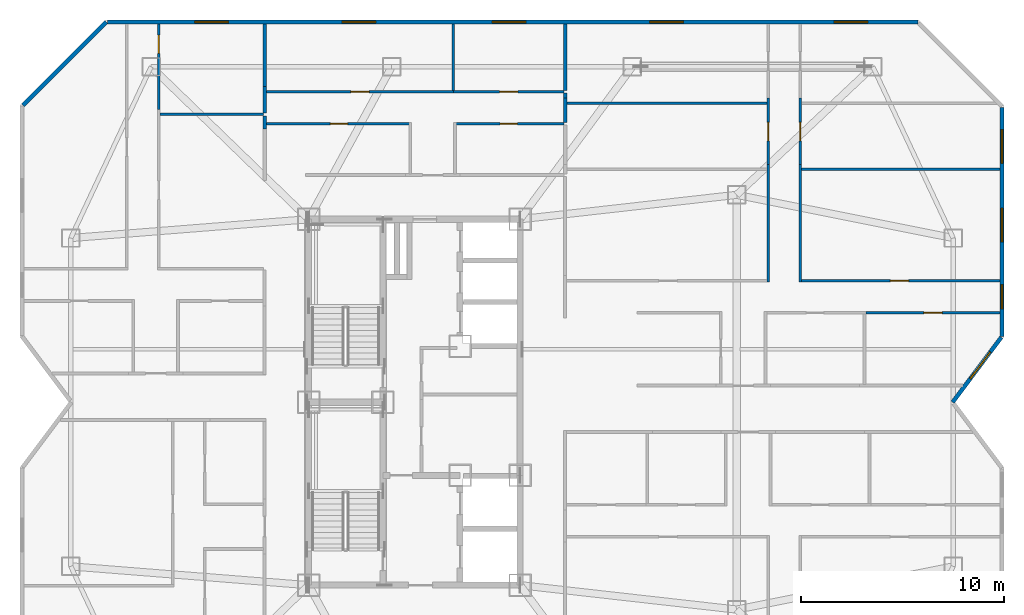
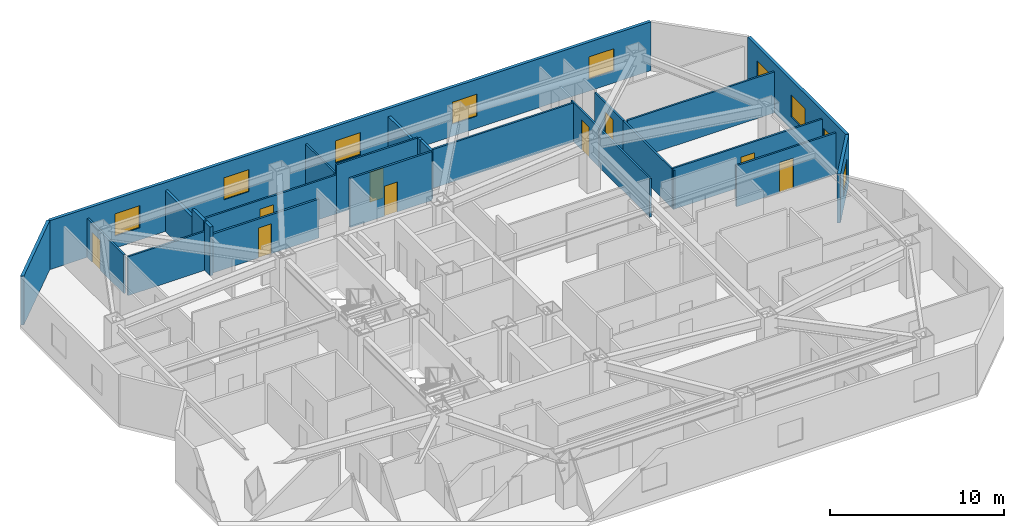
# One storey, part 9 of 11: 25 walls, 9 doors, 9 windows, 18 openings.
"""IFC4 building model written with IfcOpenShell, lengths in metres."""

from ifc_helpers import new_model, si_unit, direction, frame, frame_2d, origin, place, context, subcontext, project, spatial, rectangle, extrude, material, layer, layer_set, type_object, element, fill, save


model = new_model("IFC4")

# Units and contexts
model_context = context("Model", 3, precision=1e-05, world=origin(), true_north=direction((0.0, 1.0)))
body_context = subcontext(model_context, "Body", "Model", "MODEL_VIEW")
ifc_project = project(units=[si_unit("LENGTHUNIT", "METRE"), si_unit("AREAUNIT", "SQUARE_METRE"), si_unit("VOLUMEUNIT", "CUBIC_METRE"), si_unit("PLANEANGLEUNIT", "RADIAN"), si_unit("MASSUNIT", "GRAM", prefix="KILO")], contexts=[model_context])

# Site, building, storey
site_placement = place(None, origin())
site = spatial("IfcSite", under=ifc_project, at=site_placement, CompositionType="ELEMENT")
building_placement = place(site_placement, origin())
building = spatial("IfcBuilding", under=site, at=building_placement, Name="Khamvora Tower", CompositionType="ELEMENT")
storey_placement = place(building_placement, frame((0.0, 0.0, 163.199951171875)))
storey = spatial("IfcBuildingStorey", under=building, at=storey_placement, Name="L41", CompositionType="ELEMENT", Elevation=163.199951171875)

# Walls
ifc_material_1 = material(Name="Acoustic Double-Stud Fire Wall", Category="gypsum")
ifc_layer_1 = layer(ifc_material_1, 0.179931640625)
ifc_layer_set_1 = layer_set([ifc_layer_1], Name="Acoustic Double-Stud Fire Wall")
wall_type_1 = type_object("IfcWallType", Name="WAL-CORR-180", PredefinedType="STANDARD", material=ifc_layer_set_1)
wall_1_placement = place(storey_placement, frame((26.8349609375, 42.090087890625, 0.0), z_axis=(0.0, 0.0, 1.0), x_axis=(0.0, -1.0, 0.0)))
element("IfcWall", 1, at=wall_1_placement, inside=storey, type_object=wall_type_1, Name="L41 interior partition wall 059", PredefinedType="STANDARD", context=body_context, shape_type="SweptSolid", body=[
    extrude(rectangle(XDim=0.64404296875, YDim=0.179931640625, at=frame_2d((0.322021484375, 0.0))), origin(), (0.0, 0.0, 1.0), 3.429931640625),
])
wall_2_placement = place(storey_placement, frame((26.8349609375, 43.52392578125, 0.0), z_axis=(0.0, 0.0, 1.0), x_axis=(0.0, -1.0, 0.0)))
element("IfcWall", 2, at=wall_2_placement, inside=storey, type_object=wall_type_1, Name="L41 interior partition wall 061", PredefinedType="STANDARD", context=body_context, shape_type="SweptSolid", body=[
    extrude(rectangle(XDim=1.303955078125, YDim=0.179931640625, at=frame_2d((0.65185546875, 0.0))), origin(), (0.0, 0.0, 1.0), 3.429931640625),
])
wall_3_placement = place(storey_placement, frame((26.8349609375, 46.60791015625, 0.0), z_axis=(0.0, 0.0, 1.0), x_axis=(0.0, -1.0, 0.0)))
element("IfcWall", 3, at=wall_3_placement, inside=storey, type_object=wall_type_1, Name="L41 interior partition wall 062", PredefinedType="STANDARD", context=body_context, shape_type="SweptSolid", body=[
    extrude(rectangle(XDim=3.083984375, YDim=0.179931640625, at=frame_2d((1.5419921875, 0.0))), origin(), (0.0, 0.0, 1.0), 2.8759765625),
])
wall_4_placement = place(storey_placement, frame((41.614990234375, 42.9619140625, 0.0), z_axis=(0.0, 0.0, 1.0), x_axis=(0.0, -1.0, 0.0)))
element("IfcWall", 4, at=wall_4_placement, inside=storey, type_object=wall_type_1, Name="L41 interior partition wall 079", PredefinedType="STANDARD", context=body_context, shape_type="SweptSolid", body=[
    extrude(rectangle(XDim=1.201904296875, YDim=0.179931640625, at=frame_2d((0.60107421875, 0.0))), origin(), (0.0, 0.0, 1.0), 3.429931640625),
])
wall_5_placement = place(storey_placement, frame((41.614990234375, 43.2099609375, 0.0), z_axis=(0.0, 0.0, 1.0), x_axis=(0.0, -1.0, 0.0)))
element("IfcWall", 5, at=wall_5_placement, inside=storey, type_object=wall_type_1, Name="L41 interior partition wall 080", PredefinedType="STANDARD", context=body_context, shape_type="SweptSolid", body=[
    extrude(rectangle(XDim=0.248046875, YDim=0.179931640625, at=frame_2d((0.1240234375, 0.0))), origin(), (0.0, 0.0, 1.0), 3.429931640625),
])
wall_6_placement = place(storey_placement, frame((41.614990234375, 46.60791015625, 0.0), z_axis=(0.0, 0.0, 1.0), x_axis=(0.0, -1.0, 0.0)))
element("IfcWall", 6, at=wall_6_placement, inside=storey, type_object=wall_type_1, Name="L41 interior partition wall 084", PredefinedType="STANDARD", context=body_context, shape_type="SweptSolid", body=[
    extrude(rectangle(XDim=3.267822265625, YDim=0.179931640625, at=frame_2d((1.6337890625, 0.0))), origin(), (0.0, 0.0, 1.0), 2.8759765625),
])
ifc_material_2 = material(Name="Precast concrete C40/50", Category="concrete")
ifc_layer_2 = layer(ifc_material_2, 0.199951171875)
ifc_layer_set_2 = layer_set([ifc_layer_2], Name="Precast concrete C40/50")
wall_type_2 = type_object("IfcWallType", Name="WAL-EXT-200", PredefinedType="STANDARD", material=ifc_layer_set_2)
wall_7_placement = place(storey_placement, frame((14.945068359375, 42.60400390625, 0.0), z_axis=(0.0, 0.0, 1.0), x_axis=(0.707106781187, 0.707106781187, 0.0)))
element("IfcWall", 7, at=wall_7_placement, inside=storey, type_object=wall_type_2, Name="L41 exterior facade wall 06.1", PredefinedType="STANDARD", context=body_context, shape_type="SweptSolid", body=[
    extrude(rectangle(XDim=5.79248046875, YDim=0.199951171875, at=frame_2d((2.896240234375, 0.0))), origin(), (0.0, 0.0, 1.0), 3.429931640625),
])

# Wall, openings, windows
wall_8_placement = place(storey_placement, frame((19.10205078125, 46.699951171875, 0.0), z_axis=(0.0, 0.0, 1.0), x_axis=(1.0, 0.0, 0.0)))
wall_8 = element("IfcWall", 8, at=wall_8_placement, inside=storey, type_object=wall_type_2, Name="L41 exterior facade wall 07.1", PredefinedType="STANDARD", context=body_context, shape_type="SweptSolid", body=[
    extrude(rectangle(XDim=39.85693359375, YDim=0.199951171875, at=frame_2d((19.928466796875, 0.0))), origin(), (0.0, 0.0, 1.0), 3.429931640625),
])
opening_1_placement = place(wall_8_placement, frame((4.302978515625, 0.0, 0.85009765625)))
opening_1 = element("IfcOpeningElement", 9, at=opening_1_placement, cuts=wall_8, Name="Opening WN-06", PredefinedType="OPENING", context=body_context, shape_type="SweptSolid", body=[
    extrude(rectangle(XDim=1.64990234375, YDim=1.550048828125, at=frame_2d((0.824951171875, 0.77490234375))), frame((0.0, 0.10986328125, 0.0), z_axis=(0.0, -1.0, 0.0), x_axis=(1.0, 0.0, 0.0)), (0.0, 0.0, 1.0), 0.219970703125),
])
opening_2_placement = place(wall_8_placement, frame((11.5419921875, 0.0, 0.85009765625)))
opening_2 = element("IfcOpeningElement", 10, at=opening_2_placement, cuts=wall_8, Name="Opening WN-06", PredefinedType="OPENING", context=body_context, shape_type="SweptSolid", body=[
    extrude(rectangle(XDim=1.64990234375, YDim=1.550048828125, at=frame_2d((0.824951171875, 0.77490234375))), frame((0.0, 0.10986328125, 0.0), z_axis=(0.0, -1.0, 0.0), x_axis=(1.0, 0.0, 0.0)), (0.0, 0.0, 1.0), 0.219970703125),
])
opening_3_placement = place(wall_8_placement, frame((18.931884765625, 0.0, 0.85009765625)))
opening_3 = element("IfcOpeningElement", 11, at=opening_3_placement, cuts=wall_8, Name="Opening WN-06", PredefinedType="OPENING", context=body_context, shape_type="SweptSolid", body=[
    extrude(rectangle(XDim=1.64990234375, YDim=1.550048828125, at=frame_2d((0.824951171875, 0.77490234375))), frame((0.0, 0.10986328125, 0.0), z_axis=(0.0, -1.0, 0.0), x_axis=(1.0, 0.0, 0.0)), (0.0, 0.0, 1.0), 0.219970703125),
])
opening_4_placement = place(wall_8_placement, frame((26.679931640625, 0.0, 0.85009765625)))
opening_4 = element("IfcOpeningElement", 12, at=opening_4_placement, cuts=wall_8, Name="Opening WN-06", PredefinedType="OPENING", context=body_context, shape_type="SweptSolid", body=[
    extrude(rectangle(XDim=1.64990234375, YDim=1.550048828125, at=frame_2d((0.824951171875, 0.77490234375))), frame((0.0, 0.10986328125, 0.0), z_axis=(0.0, -1.0, 0.0), x_axis=(1.0, 0.0, 0.0)), (0.0, 0.0, 1.0), 0.219970703125),
])
opening_5_placement = place(wall_8_placement, frame((35.7451171875, 0.0, 0.85009765625)))
opening_5 = element("IfcOpeningElement", 13, at=opening_5_placement, cuts=wall_8, Name="Opening WN-06", PredefinedType="OPENING", context=body_context, shape_type="SweptSolid", body=[
    extrude(rectangle(XDim=1.64990234375, YDim=1.550048828125, at=frame_2d((0.824951171875, 0.77490234375))), frame((0.0, 0.10986328125, 0.0), z_axis=(0.0, -1.0, 0.0), x_axis=(1.0, 0.0, 0.0)), (0.0, 0.0, 1.0), 0.219970703125),
])
ifc_material_3 = material(Name="Low-E Laminated Double Glazing", Category="glass")
window_type_1 = type_object("IfcWindowType", Name="WIN-VIS-1650x1550", PartitioningType="SINGLE_PANEL", PredefinedType="WINDOW", material=ifc_material_3)
window_1_placement = place(opening_1_placement, origin())
window_1 = element("IfcWindow", 14, at=window_1_placement, inside=storey, type_object=window_type_1, Name="L41 vision window 07.1.01", OverallHeight=1.550048828125, OverallWidth=1.64990234375, PartitioningType="SINGLE_PANEL", PredefinedType="WINDOW", context=body_context, shape_type="SweptSolid", body=[
    extrude(rectangle(XDim=1.64990234375, YDim=1.550048828125, at=frame_2d((0.824951171875, 0.77490234375))), frame((0.0, 0.030029296875, 0.0), z_axis=(0.0, -1.0, 0.0), x_axis=(1.0, 0.0, 0.0)), (0.0, 0.0, 1.0), 0.06005859375),
])
fill(opening_1, window_1)
window_2_placement = place(opening_2_placement, origin())
window_2 = element("IfcWindow", 15, at=window_2_placement, inside=storey, type_object=window_type_1, Name="L41 vision window 07.1.02", OverallHeight=1.550048828125, OverallWidth=1.64990234375, PartitioningType="SINGLE_PANEL", PredefinedType="WINDOW", context=body_context, shape_type="SweptSolid", body=[
    extrude(rectangle(XDim=1.64990234375, YDim=1.550048828125, at=frame_2d((0.824951171875, 0.77490234375))), frame((0.0, 0.030029296875, 0.0), z_axis=(0.0, -1.0, 0.0), x_axis=(1.0, 0.0, 0.0)), (0.0, 0.0, 1.0), 0.06005859375),
])
fill(opening_2, window_2)
window_3_placement = place(opening_3_placement, origin())
window_3 = element("IfcWindow", 16, at=window_3_placement, inside=storey, type_object=window_type_1, Name="L41 vision window 07.1.03", OverallHeight=1.550048828125, OverallWidth=1.64990234375, PartitioningType="SINGLE_PANEL", PredefinedType="WINDOW", context=body_context, shape_type="SweptSolid", body=[
    extrude(rectangle(XDim=1.64990234375, YDim=1.550048828125, at=frame_2d((0.824951171875, 0.77490234375))), frame((0.0, 0.030029296875, 0.0), z_axis=(0.0, -1.0, 0.0), x_axis=(1.0, 0.0, 0.0)), (0.0, 0.0, 1.0), 0.06005859375),
])
fill(opening_3, window_3)
window_4_placement = place(opening_4_placement, origin())
window_4 = element("IfcWindow", 17, at=window_4_placement, inside=storey, type_object=window_type_1, Name="L41 vision window 07.1.04", OverallHeight=1.550048828125, OverallWidth=1.64990234375, PartitioningType="SINGLE_PANEL", PredefinedType="WINDOW", context=body_context, shape_type="SweptSolid", body=[
    extrude(rectangle(XDim=1.64990234375, YDim=1.550048828125, at=frame_2d((0.824951171875, 0.77490234375))), frame((0.0, 0.030029296875, 0.0), z_axis=(0.0, -1.0, 0.0), x_axis=(1.0, 0.0, 0.0)), (0.0, 0.0, 1.0), 0.06005859375),
])
fill(opening_4, window_4)
window_5_placement = place(opening_5_placement, origin())
window_5 = element("IfcWindow", 18, at=window_5_placement, inside=storey, type_object=window_type_1, Name="L41 vision window 07.1.05", OverallHeight=1.550048828125, OverallWidth=1.64990234375, PartitioningType="SINGLE_PANEL", PredefinedType="WINDOW", context=body_context, shape_type="SweptSolid", body=[
    extrude(rectangle(XDim=1.64990234375, YDim=1.550048828125, at=frame_2d((0.824951171875, 0.77490234375))), frame((0.0, 0.030029296875, 0.0), z_axis=(0.0, -1.0, 0.0), x_axis=(1.0, 0.0, 0.0)), (0.0, 0.0, 1.0), 0.06005859375),
])
fill(opening_5, window_5)

wall_9_placement = place(storey_placement, frame((63.10009765625, 42.49609375, 0.0), z_axis=(0.0, 0.0, 1.0), x_axis=(0.0, -1.0, 0.0)))
wall_9 = element("IfcWall", 19, at=wall_9_placement, inside=storey, type_object=wall_type_2, Name="L41 exterior facade wall 09.1", PredefinedType="STANDARD", context=body_context, shape_type="SweptSolid", body=[
    extrude(rectangle(XDim=11.26318359375, YDim=0.199951171875, at=frame_2d((5.631591796875, 0.0))), origin(), (0.0, 0.0, 1.0), 3.429931640625),
])
opening_6_placement = place(wall_9_placement, frame((8.7109375, 0.0, 0.800048828125)))
opening_6 = element("IfcOpeningElement", 20, at=opening_6_placement, cuts=wall_9, Name="Opening WN-03", PredefinedType="OPENING", context=body_context, shape_type="SweptSolid", body=[
    extrude(rectangle(XDim=1.199951171875, YDim=1.5, at=frame_2d((0.60009765625, 0.75))), frame((0.0, 0.10986328125, 0.0), z_axis=(0.0, -1.0, 0.0), x_axis=(1.0, 0.0, 0.0)), (0.0, 0.0, 1.0), 0.219970703125),
])
opening_7_placement = place(wall_9_placement, frame((4.95703125, 0.0, 0.85009765625)))
opening_7 = element("IfcOpeningElement", 21, at=opening_7_placement, cuts=wall_9, Name="Opening WN-06", PredefinedType="OPENING", context=body_context, shape_type="SweptSolid", body=[
    extrude(rectangle(XDim=1.64990234375, YDim=1.550048828125, at=frame_2d((0.824951171875, 0.77490234375))), frame((0.0, 0.10986328125, 0.0), z_axis=(0.0, -1.0, 0.0), x_axis=(1.0, 0.0, 0.0)), (0.0, 0.0, 1.0), 0.219970703125),
])
opening_8_placement = place(wall_9_placement, frame((1.089111328125, 0.0, 0.85009765625)))
opening_8 = element("IfcOpeningElement", 22, at=opening_8_placement, cuts=wall_9, Name="Opening WN-06", PredefinedType="OPENING", context=body_context, shape_type="SweptSolid", body=[
    extrude(rectangle(XDim=1.64990234375, YDim=1.550048828125, at=frame_2d((0.824951171875, 0.77490234375))), frame((0.0, 0.10986328125, 0.0), z_axis=(0.0, -1.0, 0.0), x_axis=(1.0, 0.0, 0.0)), (0.0, 0.0, 1.0), 0.219970703125),
])
window_type_2 = type_object("IfcWindowType", Name="WIN-VIS-1200x1500", PartitioningType="SINGLE_PANEL", PredefinedType="WINDOW", material=ifc_material_3)
window_6_placement = place(opening_6_placement, origin())
window_6 = element("IfcWindow", 23, at=window_6_placement, inside=storey, type_object=window_type_2, Name="L41 vision window 09.1.01", OverallHeight=1.5, OverallWidth=1.199951171875, PartitioningType="SINGLE_PANEL", PredefinedType="WINDOW", context=body_context, shape_type="SweptSolid", body=[
    extrude(rectangle(XDim=1.199951171875, YDim=1.5, at=frame_2d((0.60009765625, 0.75))), frame((0.0, 0.030029296875, 0.0), z_axis=(0.0, -1.0, 0.0), x_axis=(1.0, 0.0, 0.0)), (0.0, 0.0, 1.0), 0.06005859375),
])
fill(opening_6, window_6)
window_7_placement = place(opening_7_placement, origin())
window_7 = element("IfcWindow", 24, at=window_7_placement, inside=storey, type_object=window_type_1, Name="L41 vision window 09.1.02", OverallHeight=1.550048828125, OverallWidth=1.64990234375, PartitioningType="SINGLE_PANEL", PredefinedType="WINDOW", context=body_context, shape_type="SweptSolid", body=[
    extrude(rectangle(XDim=1.64990234375, YDim=1.550048828125, at=frame_2d((0.824951171875, 0.77490234375))), frame((0.0, 0.030029296875, 0.0), z_axis=(0.0, -1.0, 0.0), x_axis=(1.0, 0.0, 0.0)), (0.0, 0.0, 1.0), 0.06005859375),
])
fill(opening_7, window_7)
window_8_placement = place(opening_8_placement, origin())
window_8 = element("IfcWindow", 25, at=window_8_placement, inside=storey, type_object=window_type_1, Name="L41 vision window 09.1.03", OverallHeight=1.550048828125, OverallWidth=1.64990234375, PartitioningType="SINGLE_PANEL", PredefinedType="WINDOW", context=body_context, shape_type="SweptSolid", body=[
    extrude(rectangle(XDim=1.64990234375, YDim=1.550048828125, at=frame_2d((0.824951171875, 0.77490234375))), frame((0.0, 0.030029296875, 0.0), z_axis=(0.0, -1.0, 0.0), x_axis=(1.0, 0.0, 0.0)), (0.0, 0.0, 1.0), 0.06005859375),
])
fill(opening_8, window_8)

# Wall, opening, window
wall_10_placement = place(storey_placement, frame((63.069091796875, 31.19091796875, 0.0), z_axis=(0.0, 0.0, 1.0), x_axis=(-0.600137081448, -0.799897170561, 0.0)))
wall_10 = element("IfcWall", 26, at=wall_10_placement, inside=storey, type_object=wall_type_2, Name="L41 exterior facade wall 10.1", PredefinedType="STANDARD", context=body_context, shape_type="SweptSolid", body=[
    extrude(rectangle(XDim=3.9892578125, YDim=0.199951171875, at=frame_2d((1.99462890625, 0.0))), origin(), (0.0, 0.0, 1.0), 3.429931640625),
])
opening_9_placement = place(wall_10_placement, frame((0.90087890625, 0.0, 0.85009765625)))
opening_9 = element("IfcOpeningElement", 27, at=opening_9_placement, cuts=wall_10, Name="Opening WN-06", PredefinedType="OPENING", context=body_context, shape_type="SweptSolid", body=[
    extrude(rectangle(XDim=1.64990234375, YDim=1.550048828125, at=frame_2d((0.824951171875, 0.77490234375))), frame((0.0, 0.10986328125, 0.0), z_axis=(0.0, -1.0, 0.0), x_axis=(1.0, 0.0, 0.0)), (0.0, 0.0, 1.0), 0.219970703125),
])
window_9_placement = place(opening_9_placement, origin())
window_9 = element("IfcWindow", 28, at=window_9_placement, inside=storey, type_object=window_type_1, Name="L41 vision window 10.1.01", OverallHeight=1.550048828125, OverallWidth=1.64990234375, PartitioningType="SINGLE_PANEL", PredefinedType="WINDOW", context=body_context, shape_type="SweptSolid", body=[
    extrude(rectangle(XDim=1.64990234375, YDim=1.550048828125, at=frame_2d((0.824951171875, 0.77490234375))), frame((0.0, 0.030029296875, 0.0), z_axis=(0.0, -1.0, 0.0), x_axis=(1.0, 0.0, 0.0)), (0.0, 0.0, 1.0), 0.06005859375),
])
fill(opening_9, window_9)

# Wall, opening, door
ifc_material_4 = material(Name="Gypsum Plasterboard Partition", Category="gypsum")
ifc_layer_3 = layer(ifc_material_4, 0.1201171875)
ifc_layer_set_3 = layer_set([ifc_layer_3], Name="Gypsum Plasterboard Partition")
wall_type_3 = type_object("IfcWallType", Name="WAL-PART-120", PredefinedType="PARTITIONING", material=ifc_layer_set_3)
wall_11_placement = place(storey_placement, frame((21.625, 46.60791015625, 0.0), z_axis=(0.0, 0.0, 1.0), x_axis=(0.0, -1.0, 0.0)))
wall_11 = element("IfcWall", 29, at=wall_11_placement, inside=storey, type_object=wall_type_3, Name="L41 interior partition wall 057", PredefinedType="PARTITIONING", context=body_context, shape_type="SweptSolid", body=[
    extrude(rectangle(XDim=4.203857421875, YDim=0.1201171875, at=frame_2d((2.10205078125, 0.0))), origin(), (0.0, 0.0, 1.0), 2.72509765625),
])
opening_10_placement = place(wall_11_placement, frame((0.553955078125, 0.0, 0.0)))
opening_10 = element("IfcOpeningElement", 30, at=opening_10_placement, cuts=wall_11, Name="Opening D-RM1", PredefinedType="OPENING", context=body_context, shape_type="SweptSolid", body=[
    extrude(rectangle(XDim=0.89990234375, YDim=2.10009765625, at=frame_2d((0.449951171875, 1.050048828125))), frame((0.0, 0.070068359375, 0.0), z_axis=(0.0, -1.0, 0.0), x_axis=(1.0, 0.0, 0.0)), (0.0, 0.0, 1.0), 0.14013671875),
])
ifc_material_5 = material(Name="Powder-Coated Steel and Hardwood Leaf", Category="steel")
door_type_1 = type_object("IfcDoorType", Name="DOR-ROOM-900", OperationType="NOTDEFINED", PredefinedType="DOOR", material=ifc_material_5)
door_1_placement = place(opening_10_placement, origin())
door_1 = element("IfcDoor", 31, at=door_1_placement, inside=storey, type_object=door_type_1, Name="L41 interior door 41WBH-41WBR3", OperationType="SINGLE_SWING_LEFT", OverallHeight=2.10009765625, OverallWidth=0.89990234375, PredefinedType="DOOR", context=body_context, shape_type="SweptSolid", body=[
    extrude(rectangle(XDim=0.89990234375, YDim=2.10009765625, at=frame_2d((0.449951171875, 1.050048828125))), frame((0.0, 0.02490234375, 0.0), z_axis=(0.0, -1.0, 0.0), x_axis=(1.0, 0.0, 0.0)), (0.0, 0.0, 1.0), 0.050048828125),
])
fill(opening_10, door_1)

# Wall
wall_12_placement = place(storey_placement, frame((21.678955078125, 42.155029296875, 0.0), z_axis=(0.0, 0.0, 1.0), x_axis=(1.0, 0.0, 0.0)))
element("IfcWall", 32, at=wall_12_placement, inside=storey, type_object=wall_type_3, Name="L41 interior partition wall 058", PredefinedType="PARTITIONING", context=body_context, shape_type="SweptSolid", body=[
    extrude(rectangle(XDim=5.091064453125, YDim=0.1201171875, at=frame_2d((2.54541015625, 0.0))), origin(), (0.0, 0.0, 1.0), 2.72509765625),
])

# Wall, opening, door
wall_13_placement = place(storey_placement, frame((26.9169921875, 43.27490234375, 0.0), z_axis=(0.0, 0.0, 1.0), x_axis=(1.0, 0.0, 0.0)))
wall_13 = element("IfcWall", 33, at=wall_13_placement, inside=storey, type_object=wall_type_3, Name="L41 interior partition wall 077", PredefinedType="PARTITIONING", context=body_context, shape_type="SweptSolid", body=[
    extrude(rectangle(XDim=9.217041015625, YDim=0.1201171875, at=frame_2d((4.6083984375, 0.0))), origin(), (0.0, 0.0, 1.0), 2.72509765625),
])
opening_11_placement = place(wall_13_placement, frame((4.158935546875, 0.0, 0.0)))
opening_11 = element("IfcOpeningElement", 34, at=opening_11_placement, cuts=wall_13, Name="Opening D-RM1", PredefinedType="OPENING", context=body_context, shape_type="SweptSolid", body=[
    extrude(rectangle(XDim=0.89990234375, YDim=2.10009765625, at=frame_2d((0.449951171875, 1.050048828125))), frame((0.0, 0.070068359375, 0.0), z_axis=(0.0, -1.0, 0.0), x_axis=(1.0, 0.0, 0.0)), (0.0, 0.0, 1.0), 0.14013671875),
])
door_2_placement = place(opening_11_placement, origin())
door_2 = element("IfcDoor", 35, at=door_2_placement, inside=storey, type_object=door_type_1, Name="L41 interior door 41NAH-41NAL", OperationType="SINGLE_SWING_LEFT", OverallHeight=2.10009765625, OverallWidth=0.89990234375, PredefinedType="DOOR", context=body_context, shape_type="SweptSolid", body=[
    extrude(rectangle(XDim=0.89990234375, YDim=2.10009765625, at=frame_2d((0.449951171875, 1.050048828125))), frame((0.0, 0.02490234375, 0.0), z_axis=(0.0, -1.0, 0.0), x_axis=(1.0, 0.0, 0.0)), (0.0, 0.0, 1.0), 0.050048828125),
])
fill(opening_11, door_2)

wall_14_placement = place(storey_placement, frame((36.134033203125, 43.27490234375, 0.0), z_axis=(0.0, 0.0, 1.0), x_axis=(1.0, 0.0, 0.0)))
wall_14 = element("IfcWall", 36, at=wall_14_placement, inside=storey, type_object=wall_type_3, Name="L41 interior partition wall 078", PredefinedType="PARTITIONING", context=body_context, shape_type="SweptSolid", body=[
    extrude(rectangle(XDim=5.416015625, YDim=0.1201171875, at=frame_2d((2.7080078125, 0.0))), origin(), (0.0, 0.0, 1.0), 3.429931640625),
])
opening_12_placement = place(wall_14_placement, frame((2.258056640625, 0.0, 0.0)))
opening_12 = element("IfcOpeningElement", 37, at=opening_12_placement, cuts=wall_14, Name="Opening D-RM1", PredefinedType="OPENING", context=body_context, shape_type="SweptSolid", body=[
    extrude(rectangle(XDim=0.89990234375, YDim=2.10009765625, at=frame_2d((0.449951171875, 1.050048828125))), frame((0.0, 0.070068359375, 0.0), z_axis=(0.0, -1.0, 0.0), x_axis=(1.0, 0.0, 0.0)), (0.0, 0.0, 1.0), 0.14013671875),
])
door_3_placement = place(opening_12_placement, origin())
door_3 = element("IfcDoor", 38, at=door_3_placement, inside=storey, type_object=door_type_1, Name="L41 interior door 41NAH-41NAR2", OperationType="SINGLE_SWING_LEFT", OverallHeight=2.10009765625, OverallWidth=0.89990234375, PredefinedType="DOOR", context=body_context, shape_type="SweptSolid", body=[
    extrude(rectangle(XDim=0.89990234375, YDim=2.10009765625, at=frame_2d((0.449951171875, 1.050048828125))), frame((0.0, 0.02490234375, 0.0), z_axis=(0.0, -1.0, 0.0), x_axis=(1.0, 0.0, 0.0)), (0.0, 0.0, 1.0), 0.050048828125),
])
fill(opening_12, door_3)

# Wall
wall_15_placement = place(storey_placement, frame((36.10400390625, 46.60791015625, 0.0), z_axis=(0.0, 0.0, 1.0), x_axis=(0.0, -1.0, 0.0)))
element("IfcWall", 39, at=wall_15_placement, inside=storey, type_object=wall_type_3, Name="L41 interior partition wall 083", PredefinedType="PARTITIONING", context=body_context, shape_type="SweptSolid", body=[
    extrude(rectangle(XDim=3.27880859375, YDim=0.1201171875, at=frame_2d((1.639404296875, 0.0))), origin(), (0.0, 0.0, 1.0), 2.8759765625),
])

# Wall, opening, door
wall_16_placement = place(storey_placement, frame((56.404052734375, 32.39501953125, 0.0), z_axis=(0.0, 0.0, 1.0), x_axis=(1.0, 0.0, 0.0)))
wall_16 = element("IfcWall", 40, at=wall_16_placement, inside=storey, type_object=wall_type_3, Name="L41 interior partition wall 103", PredefinedType="PARTITIONING", context=body_context, shape_type="SweptSolid", body=[
    extrude(rectangle(XDim=6.60400390625, YDim=0.1201171875, at=frame_2d((3.302001953125, 0.0))), origin(), (0.0, 0.0, 1.0), 2.8759765625),
])
opening_13_placement = place(wall_16_placement, frame((2.85205078125, 0.0, 0.0)))
opening_13 = element("IfcOpeningElement", 41, at=opening_13_placement, cuts=wall_16, Name="Opening D-RM1", PredefinedType="OPENING", context=body_context, shape_type="SweptSolid", body=[
    extrude(rectangle(XDim=0.89990234375, YDim=2.10009765625, at=frame_2d((0.449951171875, 1.050048828125))), frame((0.0, 0.070068359375, 0.0), z_axis=(0.0, -1.0, 0.0), x_axis=(1.0, 0.0, 0.0)), (0.0, 0.0, 1.0), 0.14013671875),
])
door_4_placement = place(opening_13_placement, origin())
door_4 = element("IfcDoor", 42, at=door_4_placement, inside=storey, type_object=door_type_1, Name="L41 interior door 41EBW2-41EBH", OperationType="SINGLE_SWING_RIGHT", OverallHeight=2.10009765625, OverallWidth=0.89990234375, PredefinedType="DOOR", context=body_context, shape_type="SweptSolid", body=[
    extrude(rectangle(XDim=0.89990234375, YDim=2.10009765625, at=frame_2d((0.449951171875, 1.050048828125))), frame((0.0, 0.02490234375, 0.0), z_axis=(0.0, -1.0, 0.0), x_axis=(1.0, 0.0, 0.0)), (0.0, 0.0, 1.0), 0.050048828125),
])
fill(opening_13, door_4)

# Wall
wall_17_placement = place(storey_placement, frame((51.60009765625, 33.909912109375, 0.0), z_axis=(0.0, 0.0, 1.0), x_axis=(0.0, 1.0, 0.0)))
element("IfcWall", 43, at=wall_17_placement, inside=storey, type_object=wall_type_3, Name="L41 interior partition wall 110", PredefinedType="PARTITIONING", context=body_context, shape_type="SweptSolid", body=[
    extrude(rectangle(XDim=5.791015625, YDim=0.1201171875, at=frame_2d((2.8955078125, 0.0))), origin(), (0.0, 0.0, 1.0), 2.72509765625),
])

# Wall, opening, door
wall_18_placement = place(storey_placement, frame((51.60009765625, 39.700927734375, 0.0), z_axis=(0.0, 0.0, 1.0), x_axis=(0.0, 1.0, 0.0)))
wall_18 = element("IfcWall", 44, at=wall_18_placement, inside=storey, type_object=wall_type_3, Name="L41 interior partition wall 111", PredefinedType="PARTITIONING", context=body_context, shape_type="SweptSolid", body=[
    extrude(rectangle(XDim=3.260986328125, YDim=0.1201171875, at=frame_2d((1.63037109375, 0.0))), origin(), (0.0, 0.0, 1.0), 2.72509765625),
])
opening_14_placement = place(wall_18_placement, frame((1.158935546875, 0.0, 0.0)))
opening_14 = element("IfcOpeningElement", 45, at=opening_14_placement, cuts=wall_18, Name="Opening D-RM1", PredefinedType="OPENING", context=body_context, shape_type="SweptSolid", body=[
    extrude(rectangle(XDim=0.89990234375, YDim=2.10009765625, at=frame_2d((0.449951171875, 1.050048828125))), frame((0.0, 0.070068359375, 0.0), z_axis=(0.0, -1.0, 0.0), x_axis=(1.0, 0.0, 0.0)), (0.0, 0.0, 1.0), 0.14013671875),
])
door_5_placement = place(opening_14_placement, origin())
door_5 = element("IfcDoor", 46, at=door_5_placement, inside=storey, type_object=door_type_1, Name="L41 interior door 41EBH-41EBR2", OperationType="SINGLE_SWING_RIGHT", OverallHeight=2.10009765625, OverallWidth=0.89990234375, PredefinedType="DOOR", context=body_context, shape_type="SweptSolid", body=[
    extrude(rectangle(XDim=0.89990234375, YDim=2.10009765625, at=frame_2d((0.449951171875, 1.050048828125))), frame((0.0, 0.02490234375, 0.0), z_axis=(0.0, -1.0, 0.0), x_axis=(1.0, 0.0, 0.0)), (0.0, 0.0, 1.0), 0.050048828125),
])
fill(opening_14, door_5)

# Wall
wall_19_placement = place(storey_placement, frame((53.169921875, 39.700927734375, 0.0), z_axis=(0.0, 0.0, 1.0), x_axis=(0.0, -1.0, 0.0)))
element("IfcWall", 47, at=wall_19_placement, inside=storey, type_object=wall_type_3, Name="L41 interior partition wall 113", PredefinedType="PARTITIONING", context=body_context, shape_type="SweptSolid", body=[
    extrude(rectangle(XDim=5.791015625, YDim=0.1201171875, at=frame_2d((2.8955078125, 0.0))), origin(), (0.0, 0.0, 1.0), 2.72509765625),
])

# Wall, opening, door
wall_20_placement = place(storey_placement, frame((53.10498046875, 33.97509765625, 0.0), z_axis=(0.0, 0.0, 1.0), x_axis=(1.0, 0.0, 0.0)))
wall_20 = element("IfcWall", 48, at=wall_20_placement, inside=storey, type_object=wall_type_3, Name="L41 interior partition wall 114", PredefinedType="PARTITIONING", context=body_context, shape_type="SweptSolid", body=[
    extrude(rectangle(XDim=9.903076171875, YDim=0.1201171875, at=frame_2d((4.95166015625, 0.0))), origin(), (0.0, 0.0, 1.0), 2.8759765625),
])
opening_15_placement = place(wall_20_placement, frame((4.501953125, 0.0, 0.0)))
opening_15 = element("IfcOpeningElement", 49, at=opening_15_placement, cuts=wall_20, Name="Opening D-RM1", PredefinedType="OPENING", context=body_context, shape_type="SweptSolid", body=[
    extrude(rectangle(XDim=0.89990234375, YDim=2.10009765625, at=frame_2d((0.449951171875, 1.050048828125))), frame((0.0, 0.070068359375, 0.0), z_axis=(0.0, -1.0, 0.0), x_axis=(1.0, 0.0, 0.0)), (0.0, 0.0, 1.0), 0.14013671875),
])
door_6_placement = place(opening_15_placement, origin())
door_6 = element("IfcDoor", 50, at=door_6_placement, inside=storey, type_object=door_type_1, Name="L41 interior door 41EBH-41EBR4", OperationType="SINGLE_SWING_RIGHT", OverallHeight=2.10009765625, OverallWidth=0.89990234375, PredefinedType="DOOR", context=body_context, shape_type="SweptSolid", body=[
    extrude(rectangle(XDim=0.89990234375, YDim=2.10009765625, at=frame_2d((0.449951171875, 1.050048828125))), frame((0.0, 0.02490234375, 0.0), z_axis=(0.0, -1.0, 0.0), x_axis=(1.0, 0.0, 0.0)), (0.0, 0.0, 1.0), 0.050048828125),
])
fill(opening_15, door_6)

wall_21_placement = place(storey_placement, frame((53.169921875, 42.9619140625, 0.0), z_axis=(0.0, 0.0, 1.0), x_axis=(0.0, -1.0, 0.0)))
wall_21 = element("IfcWall", 51, at=wall_21_placement, inside=storey, type_object=wall_type_3, Name="L41 interior partition wall 115", PredefinedType="PARTITIONING", context=body_context, shape_type="SweptSolid", body=[
    extrude(rectangle(XDim=3.260986328125, YDim=0.1201171875, at=frame_2d((1.63037109375, 0.0))), origin(), (0.0, 0.0, 1.0), 2.72509765625),
])
opening_16_placement = place(wall_21_placement, frame((1.201904296875, 0.0, 0.0)))
opening_16 = element("IfcOpeningElement", 52, at=opening_16_placement, cuts=wall_21, Name="Opening D-RM1", PredefinedType="OPENING", context=body_context, shape_type="SweptSolid", body=[
    extrude(rectangle(XDim=0.89990234375, YDim=2.10009765625, at=frame_2d((0.449951171875, 1.050048828125))), frame((0.0, 0.070068359375, 0.0), z_axis=(0.0, -1.0, 0.0), x_axis=(1.0, 0.0, 0.0)), (0.0, 0.0, 1.0), 0.14013671875),
])
door_7_placement = place(opening_16_placement, origin())
door_7 = element("IfcDoor", 53, at=door_7_placement, inside=storey, type_object=door_type_1, Name="L41 interior door 41EBH-41EBR5", OperationType="SINGLE_SWING_LEFT", OverallHeight=2.10009765625, OverallWidth=0.89990234375, PredefinedType="DOOR", context=body_context, shape_type="SweptSolid", body=[
    extrude(rectangle(XDim=0.89990234375, YDim=2.10009765625, at=frame_2d((0.449951171875, 1.050048828125))), frame((0.0, 0.02490234375, 0.0), z_axis=(0.0, -1.0, 0.0), x_axis=(1.0, 0.0, 0.0)), (0.0, 0.0, 1.0), 0.050048828125),
])
fill(opening_16, door_7)

# Walls
wall_22_placement = place(storey_placement, frame((41.697021484375, 42.7119140625, 0.0), z_axis=(0.0, 0.0, 1.0), x_axis=(1.0, 0.0, 0.0)))
element("IfcWall", 54, at=wall_22_placement, inside=storey, type_object=wall_type_3, Name="L41 interior partition wall 118", PredefinedType="PARTITIONING", context=body_context, shape_type="SweptSolid", body=[
    extrude(rectangle(XDim=9.848876953125, YDim=0.1201171875, at=frame_2d((4.92431640625, 0.0))), origin(), (0.0, 0.0, 1.0), 2.72509765625),
])
wall_23_placement = place(storey_placement, frame((53.22412109375, 39.451904296875, 0.0), z_axis=(0.0, 0.0, 1.0), x_axis=(1.0, 0.0, 0.0)))
element("IfcWall", 55, at=wall_23_placement, inside=storey, type_object=wall_type_3, Name="L41 interior partition wall 119", PredefinedType="PARTITIONING", context=body_context, shape_type="SweptSolid", body=[
    extrude(rectangle(XDim=9.783935546875, YDim=0.1201171875, at=frame_2d((4.89208984375, 0.0))), origin(), (0.0, 0.0, 1.0), 2.8759765625),
])

# Wall, opening, door
ifc_material_6 = material(Name="Moisture-Resistant Plasterboard Partition", Category="gypsum")
ifc_layer_4 = layer(ifc_material_6, 0.135009765625)
ifc_layer_set_4 = layer_set([ifc_layer_4], Name="Moisture-Resistant Plasterboard Partition")
wall_type_4 = type_object("IfcWallType", Name="WAL-WET-135", PredefinedType="PARTITIONING", material=ifc_layer_set_4)
wall_24_placement = place(storey_placement, frame((41.550048828125, 41.695068359375, 0.0), z_axis=(0.0, 0.0, 1.0), x_axis=(-1.0, 0.0, 0.0)))
wall_24 = element("IfcWall", 56, at=wall_24_placement, inside=storey, type_object=wall_type_4, Name="L41 interior partition wall 073", PredefinedType="PARTITIONING", context=body_context, shape_type="SweptSolid", body=[
    extrude(rectangle(XDim=5.416015625, YDim=0.135009765625, at=frame_2d((2.7080078125, 0.0))), origin(), (0.0, 0.0, 1.0), 3.429931640625),
])
opening_17_placement = place(wall_24_placement, frame((2.282958984375, 0.0, 0.0)))
opening_17 = element("IfcOpeningElement", 57, at=opening_17_placement, cuts=wall_24, Name="Opening D-WC1", PredefinedType="OPENING", context=body_context, shape_type="SweptSolid", body=[
    extrude(rectangle(XDim=0.85009765625, YDim=2.10009765625, at=frame_2d((0.425048828125, 1.050048828125))), frame((0.0, 0.077392578125, 0.0), z_axis=(0.0, -1.0, 0.0), x_axis=(1.0, 0.0, 0.0)), (0.0, 0.0, 1.0), 0.155029296875),
])
door_type_2 = type_object("IfcDoorType", Name="DOR-WET-850", OperationType="NOTDEFINED", PredefinedType="DOOR", material=ifc_material_5)
door_8_placement = place(opening_17_placement, origin())
door_8 = element("IfcDoor", 58, at=door_8_placement, inside=storey, type_object=door_type_2, Name="L41 interior door 41NAH-41NAB", OperationType="SINGLE_SWING_RIGHT", OverallHeight=2.10009765625, OverallWidth=0.85009765625, PredefinedType="DOOR", context=body_context, shape_type="SweptSolid", body=[
    extrude(rectangle(XDim=0.85009765625, YDim=2.10009765625, at=frame_2d((0.425048828125, 1.050048828125))), frame((0.0, 0.02490234375, 0.0), z_axis=(0.0, -1.0, 0.0), x_axis=(1.0, 0.0, 0.0)), (0.0, 0.0, 1.0), 0.050048828125),
])
fill(opening_17, door_8)

wall_25_placement = place(storey_placement, frame((34.06396484375, 41.695068359375, 0.0), z_axis=(0.0, 0.0, 1.0), x_axis=(-1.0, 0.0, 0.0)))
wall_25 = element("IfcWall", 59, at=wall_25_placement, inside=storey, type_object=wall_type_4, Name="L41 interior partition wall 076", PredefinedType="PARTITIONING", context=body_context, shape_type="SweptSolid", body=[
    extrude(rectangle(XDim=7.14697265625, YDim=0.135009765625, at=frame_2d((3.573486328125, 0.0))), origin(), (0.0, 0.0, 1.0), 2.72509765625),
])
opening_18_placement = place(wall_25_placement, frame((3.14892578125, 0.0, 0.0)))
opening_18 = element("IfcOpeningElement", 60, at=opening_18_placement, cuts=wall_25, Name="Opening D-RM2", PredefinedType="OPENING", context=body_context, shape_type="SweptSolid", body=[
    extrude(rectangle(XDim=0.85009765625, YDim=2.10009765625, at=frame_2d((0.425048828125, 1.050048828125))), frame((0.0, 0.077392578125, 0.0), z_axis=(0.0, -1.0, 0.0), x_axis=(1.0, 0.0, 0.0)), (0.0, 0.0, 1.0), 0.155029296875),
])
door_type_3 = type_object("IfcDoorType", Name="DOR-ROOM-850", OperationType="NOTDEFINED", PredefinedType="DOOR", material=ifc_material_5)
door_9_placement = place(opening_18_placement, origin())
door_9 = element("IfcDoor", 61, at=door_9_placement, inside=storey, type_object=door_type_3, Name="L41 interior door 41NAH-41NAK", OperationType="SINGLE_SWING_LEFT", OverallHeight=2.10009765625, OverallWidth=0.85009765625, PredefinedType="DOOR", context=body_context, shape_type="SweptSolid", body=[
    extrude(rectangle(XDim=0.85009765625, YDim=2.10009765625, at=frame_2d((0.425048828125, 1.050048828125))), frame((0.0, 0.02490234375, 0.0), z_axis=(0.0, -1.0, 0.0), x_axis=(1.0, 0.0, 0.0)), (0.0, 0.0, 1.0), 0.050048828125),
])
fill(opening_18, door_9)

save(model, "model.ifc")
